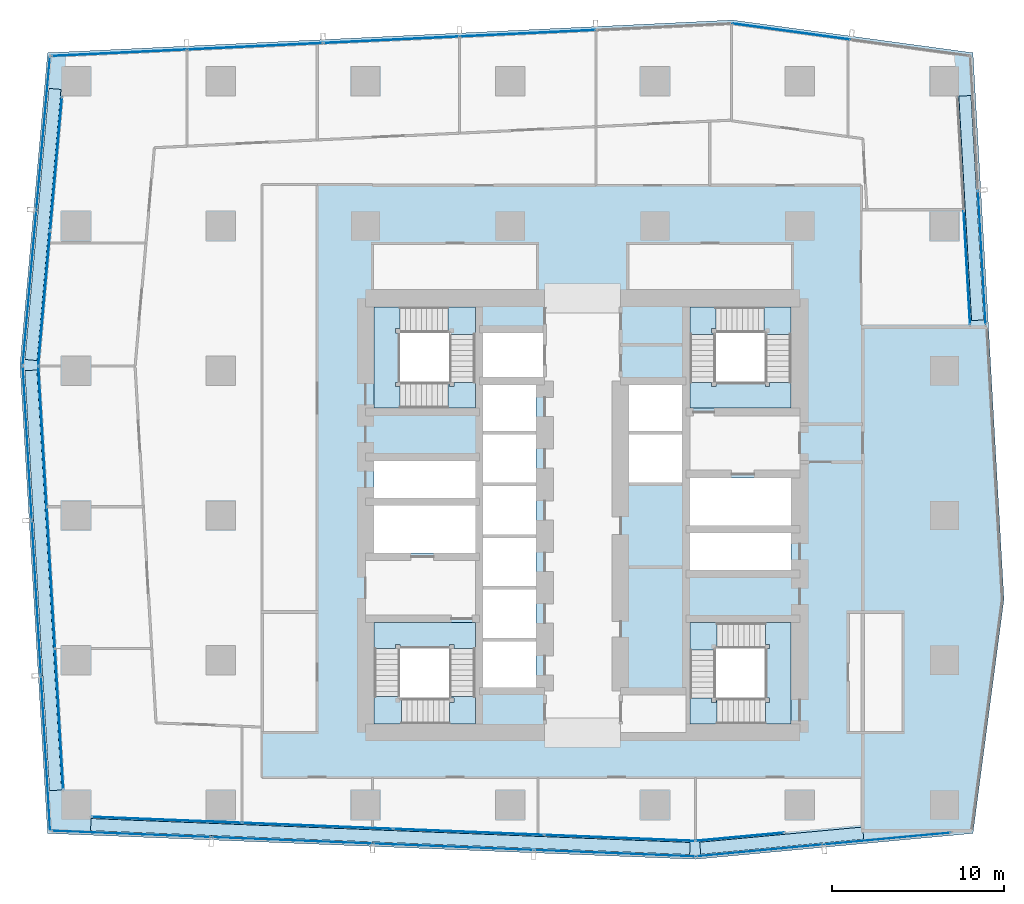
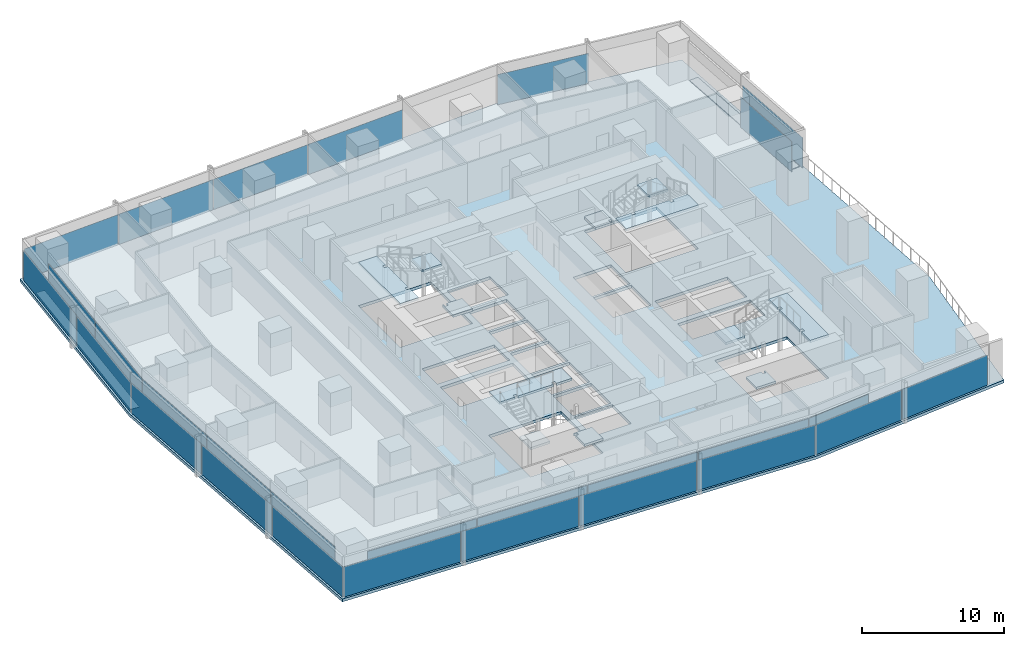
# One storey, part 23 of 34: 33 plates, 13 slabs, 16 elements without a shape of their own.
"""IFC4 building model written with IfcOpenShell, lengths in metres."""

from ifc_helpers import new_model, si_unit, direction, frame, origin, origin_2d, place, context, subcontext, project, spatial, polyline, rectangle, outline, extrude, material, layer, layer_set, type_object, element, aggregate, save


model = new_model("IFC4")

# Units and contexts
model_context = context("Model", 3, precision=1e-05, world=origin(), true_north=direction((0.0, 1.0)))
body_context = subcontext(model_context, "Body", "Model", "MODEL_VIEW")
ifc_project = project(units=[si_unit("LENGTHUNIT", "METRE"), si_unit("AREAUNIT", "SQUARE_METRE"), si_unit("VOLUMEUNIT", "CUBIC_METRE"), si_unit("PLANEANGLEUNIT", "RADIAN"), si_unit("MASSUNIT", "GRAM", prefix="KILO")], contexts=[model_context])

# Site, building, storey
site_placement = place(None, origin())
site = spatial("IfcSite", under=ifc_project, at=site_placement, CompositionType="ELEMENT")
building_placement = place(site_placement, origin())
building = spatial("IfcBuilding", under=site, at=building_placement, Name="Rekha Terrace Tower", CompositionType="ELEMENT")
storey_placement = place(building_placement, frame((0.0, 0.0, 176.449951171875)))
storey = spatial("IfcBuildingStorey", under=building, at=storey_placement, Name="L44", CompositionType="ELEMENT", Elevation=176.449951171875)

# Curtain wall, plates
ifc_material_1 = material(Name="Aluminium framing", Category="aluminium")
curtain_wall_type_1 = type_object("IfcCurtainWallType", Name="CW1 double skin inner glazing", PredefinedType="USERDEFINED", material=ifc_material_1)
curtain_wall_1_placement = place(storey_placement, origin())
curtain_wall_1 = element("IfcCurtainWall", 1, at=curtain_wall_1_placement, inside=storey, type_object=curtain_wall_type_1, Name="CW1 double skin inner glazing", ObjectType="DOUBLE SKIN INNER GLAZING", PredefinedType="USERDEFINED")
ifc_material_2 = material(Name="Double-glazed low-e unit 32", Category="glass")
ifc_layer_1 = layer(ifc_material_2, 0.031982421875)
ifc_layer_set_1 = layer_set([ifc_layer_1], Name="Double-glazed low-e unit 32")
plate_type_1 = type_object("IfcPlateType", Name="CW1 jumbo vision panel, double-glazed low-e unit 32", PredefinedType="CURTAIN_PANEL", material=ifc_layer_set_1)
plate_1_placement = place(storey_placement, frame((13.669677734375, 15.934814453125, 0.0), z_axis=(0.0, 0.0, 1.0), x_axis=(0.999204775799, -0.039872497044, 0.0)))
plate_1 = element("IfcPlate", 2, at=plate_1_placement, type_object=plate_type_1, Name="CW1 panel 1.1", PredefinedType="CURTAIN_PANEL", context=body_context, shape_type="SweptSolid", body=[
    extrude(rectangle(XDim=8.6689453125, YDim=0.031982421875, at=origin_2d()), origin(), (0.0, 0.0, 1.0), 2.60009765625),
])
plate_2_placement = place(storey_placement, frame((22.4130859375, 15.5859375, 0.0), z_axis=(0.0, 0.0, 1.0), x_axis=(0.999204775799, -0.039872497044, 0.0)))
plate_2 = element("IfcPlate", 3, at=plate_2_placement, type_object=plate_type_1, Name="CW1 panel 2.1", PredefinedType="CURTAIN_PANEL", context=body_context, shape_type="SweptSolid", body=[
    extrude(rectangle(XDim=8.701416015625, YDim=0.031982421875, at=origin_2d()), origin(), (0.0, 0.0, 1.0), 2.60009765625),
])
plate_3_placement = place(storey_placement, frame((31.172607421875, 15.236328125, 0.0), z_axis=(0.0, 0.0, 1.0), x_axis=(0.999204775799, -0.039872497044, 0.0)))
plate_3 = element("IfcPlate", 4, at=plate_3_placement, type_object=plate_type_1, Name="CW1 panel 3.1", PredefinedType="CURTAIN_PANEL", context=body_context, shape_type="SweptSolid", body=[
    extrude(rectangle(XDim=8.701416015625, YDim=0.031982421875, at=origin_2d()), origin(), (0.0, 0.0, 1.0), 2.60009765625),
])
plate_4_placement = place(storey_placement, frame((39.9482421875, 14.885986328125, 0.0), z_axis=(0.0, 0.0, 1.0), x_axis=(0.999204775799, -0.039872497044, 0.0)))
plate_4 = element("IfcPlate", 5, at=plate_4_placement, type_object=plate_type_1, Name="CW1 panel 4.1", PredefinedType="CURTAIN_PANEL", context=body_context, shape_type="SweptSolid", body=[
    extrude(rectangle(XDim=8.73388671875, YDim=0.031982421875, at=origin_2d()), origin(), (0.0, 0.0, 1.0), 2.60009765625),
])
aggregate(curtain_wall_1, [plate_1, plate_2, plate_3, plate_4])

# Curtain wall, plate
curtain_wall_2_placement = place(storey_placement, origin())
curtain_wall_2 = element("IfcCurtainWall", 6, at=curtain_wall_2_placement, inside=storey, type_object=curtain_wall_type_1, Name="CW1 double skin inner glazing", ObjectType="DOUBLE SKIN INNER GLAZING", PredefinedType="USERDEFINED")
plate_5_placement = place(storey_placement, frame((46.91650390625, 14.95458984375, 0.0), z_axis=(0.0, 0.0, 1.0), x_axis=(0.995693258737, 0.092708869616, 0.0)))
plate_5 = element("IfcPlate", 7, at=plate_5_placement, type_object=plate_type_1, Name="CW1 panel 1.1", PredefinedType="CURTAIN_PANEL", context=body_context, shape_type="SweptSolid", body=[
    extrude(rectangle(XDim=5.101806640625, YDim=0.031982421875, at=origin_2d()), origin(), (0.0, 0.0, 1.0), 2.60009765625),
])
aggregate(curtain_wall_2, [plate_5])

curtain_wall_3_placement = place(storey_placement, origin())
curtain_wall_3 = element("IfcCurtainWall", 8, at=curtain_wall_3_placement, inside=storey, type_object=curtain_wall_type_1, Name="CW1 double skin inner glazing", ObjectType="DOUBLE SKIN INNER GLAZING", PredefinedType="USERDEFINED")
plate_6_placement = place(storey_placement, frame((60.096923828125, 47.968505859375, 0.0), z_axis=(0.0, 0.0, 1.0), x_axis=(-0.056673194877, 0.998392782918, 0.0)))
plate_6 = element("IfcPlate", 9, at=plate_6_placement, type_object=plate_type_1, Name="CW1 panel 1.1", PredefinedType="CURTAIN_PANEL", context=body_context, shape_type="SweptSolid", body=[
    extrude(rectangle(XDim=6.5615234375, YDim=0.031982421875, at=origin_2d()), origin(), (0.0, 0.0, 1.0), 2.60009765625),
])
aggregate(curtain_wall_3, [plate_6])

# Curtain wall, plates
curtain_wall_4_placement = place(storey_placement, origin())
curtain_wall_4 = element("IfcCurtainWall", 10, at=curtain_wall_4_placement, inside=storey, type_object=curtain_wall_type_1, Name="CW1 double skin inner glazing", ObjectType="DOUBLE SKIN INNER GLAZING", PredefinedType="USERDEFINED")
plate_7_placement = place(storey_placement, frame((7.2451171875, 54.007080078125, 0.0), z_axis=(0.0, 0.0, 1.0), x_axis=(-0.087957985488, -0.996124185425, 0.0)))
plate_7 = element("IfcPlate", 11, at=plate_7_placement, type_object=plate_type_1, Name="CW1 panel 1.1", PredefinedType="CURTAIN_PANEL", context=body_context, shape_type="SweptSolid", body=[
    extrude(rectangle(XDim=7.73876953125, YDim=0.031982421875, at=origin_2d()), origin(), (0.0, 0.0, 1.0), 2.60009765625),
])
plate_8_placement = place(storey_placement, frame((6.555908203125, 46.201171875, 0.0), z_axis=(0.0, 0.0, 1.0), x_axis=(-0.087957985488, -0.996124185425, 0.0)))
plate_8 = element("IfcPlate", 12, at=plate_8_placement, type_object=plate_type_1, Name="CW1 panel 2.1", PredefinedType="CURTAIN_PANEL", context=body_context, shape_type="SweptSolid", body=[
    extrude(rectangle(XDim=7.8037109375, YDim=0.031982421875, at=origin_2d()), origin(), (0.0, 0.0, 1.0), 2.60009765625),
])
aggregate(curtain_wall_4, [plate_7, plate_8])

curtain_wall_5_placement = place(storey_placement, origin())
curtain_wall_5 = element("IfcCurtainWall", 13, at=curtain_wall_5_placement, inside=storey, type_object=curtain_wall_type_1, Name="CW1 double skin inner glazing", ObjectType="DOUBLE SKIN INNER GLAZING", PredefinedType="USERDEFINED")
plate_9_placement = place(storey_placement, frame((6.455322265625, 38.191650390625, 0.0), z_axis=(0.0, 0.0, 1.0), x_axis=(0.058765082551, -0.998271839267, 0.0)))
plate_9 = element("IfcPlate", 14, at=plate_9_placement, type_object=plate_type_1, Name="CW1 panel 1.1", PredefinedType="CURTAIN_PANEL", context=body_context, shape_type="SweptSolid", body=[
    extrude(rectangle(XDim=8.129638671875, YDim=0.031982421875, at=origin_2d()), origin(), (0.0, 0.0, 1.0), 2.60009765625),
])
plate_10_placement = place(storey_placement, frame((6.93798828125, 29.9951171875, 0.0), z_axis=(0.0, 0.0, 1.0), x_axis=(0.058765082551, -0.998271839267, 0.0)))
plate_10 = element("IfcPlate", 15, at=plate_10_placement, type_object=plate_type_1, Name="CW1 panel 2.1", PredefinedType="CURTAIN_PANEL", context=body_context, shape_type="SweptSolid", body=[
    extrude(rectangle(XDim=8.162109375, YDim=0.031982421875, at=origin_2d()), origin(), (0.0, 0.0, 1.0), 2.60009765625),
])
plate_11_placement = place(storey_placement, frame((7.42041015625, 21.79833984375, 0.0), z_axis=(0.0, 0.0, 1.0), x_axis=(0.058765082551, -0.998271839267, 0.0)))
plate_11 = element("IfcPlate", 16, at=plate_11_placement, type_object=plate_type_1, Name="CW1 panel 3.1", PredefinedType="CURTAIN_PANEL", context=body_context, shape_type="SweptSolid", body=[
    extrude(rectangle(XDim=8.129638671875, YDim=0.031982421875, at=origin_2d()), origin(), (0.0, 0.0, 1.0), 2.60009765625),
])
aggregate(curtain_wall_5, [plate_9, plate_10, plate_11])

curtain_wall_type_2 = type_object("IfcCurtainWallType", Name="CW2 double skin outer glazing", PredefinedType="USERDEFINED", material=ifc_material_1)
curtain_wall_6_placement = place(storey_placement, origin())
curtain_wall_6 = element("IfcCurtainWall", 17, at=curtain_wall_6_placement, inside=storey, type_object=curtain_wall_type_2, Name="CW2 double skin outer glazing", ObjectType="DOUBLE SKIN OUTER GLAZING", PredefinedType="USERDEFINED")
ifc_material_3 = material(Name="Toughened single glazing 12", Category="glass")
ifc_layer_2 = layer(ifc_material_3, 0.011962890625)
ifc_layer_set_2 = layer_set([ifc_layer_2], Name="Toughened single glazing 12")
plate_type_2 = type_object("IfcPlateType", Name="CW2 jumbo vision panel, toughened single glazing 12", PredefinedType="CURTAIN_PANEL", material=ifc_layer_set_2)
plate_12_placement = place(storey_placement, frame((11.6005859375, 15.116455078125, 0.0), z_axis=(0.0, 0.0, 1.0), x_axis=(0.999204775799, -0.039872497044, 0.0)))
plate_12 = element("IfcPlate", 18, at=plate_12_placement, type_object=plate_type_2, Name="CW2 panel 1.1", PredefinedType="CURTAIN_PANEL", context=body_context, shape_type="SweptSolid", body=[
    extrude(rectangle(XDim=9.24609375, YDim=0.011962890625, at=origin_2d()), origin(), (0.0, 0.0, 1.0), 2.60009765625),
])
plate_13_placement = place(storey_placement, frame((20.939208984375, 14.743896484375, 0.0), z_axis=(0.0, 0.0, 1.0), x_axis=(0.999204775799, -0.039872497044, 0.0)))
plate_13 = element("IfcPlate", 19, at=plate_13_placement, type_object=plate_type_2, Name="CW2 panel 2.1", PredefinedType="CURTAIN_PANEL", context=body_context, shape_type="SweptSolid", body=[
    extrude(rectangle(XDim=9.2861328125, YDim=0.011962890625, at=origin_2d()), origin(), (0.0, 0.0, 1.0), 2.60009765625),
])
plate_14_placement = place(storey_placement, frame((30.2978515625, 14.370361328125, 0.0), z_axis=(0.0, 0.0, 1.0), x_axis=(0.999204775799, -0.039872497044, 0.0)))
plate_14 = element("IfcPlate", 20, at=plate_14_placement, type_object=plate_type_2, Name="CW2 panel 3.1", PredefinedType="CURTAIN_PANEL", context=body_context, shape_type="SweptSolid", body=[
    extrude(rectangle(XDim=9.2861328125, YDim=0.011962890625, at=origin_2d()), origin(), (0.0, 0.0, 1.0), 2.60009765625),
])
plate_15_placement = place(storey_placement, frame((39.676513671875, 13.996337890625, 0.0), z_axis=(0.0, 0.0, 1.0), x_axis=(0.999204775799, -0.039872497044, 0.0)))
plate_15 = element("IfcPlate", 21, at=plate_15_placement, type_object=plate_type_2, Name="CW2 panel 4.1", PredefinedType="CURTAIN_PANEL", context=body_context, shape_type="SweptSolid", body=[
    extrude(rectangle(XDim=9.326171875, YDim=0.011962890625, at=origin_2d()), origin(), (0.0, 0.0, 1.0), 2.60009765625),
])
aggregate(curtain_wall_6, [plate_12, plate_13, plate_14, plate_15])

curtain_wall_7_placement = place(storey_placement, origin())
curtain_wall_7 = element("IfcCurtainWall", 22, at=curtain_wall_7_placement, inside=storey, type_object=curtain_wall_type_2, Name="CW2 double skin outer glazing", ObjectType="DOUBLE SKIN OUTER GLAZING", PredefinedType="USERDEFINED")
plate_16_placement = place(storey_placement, frame((48.078857421875, 14.158935546875, 0.0), z_axis=(0.0, 0.0, 1.0), x_axis=(0.995693258747, 0.092708869512, 0.0)))
plate_16 = element("IfcPlate", 23, at=plate_16_placement, type_object=plate_type_2, Name="CW2 panel 1.1", PredefinedType="CURTAIN_PANEL", context=body_context, shape_type="SweptSolid", body=[
    extrude(rectangle(XDim=7.35888671875, YDim=0.011962890625, at=origin_2d()), origin(), (0.0, 0.0, 1.0), 2.60009765625),
])
plate_17_placement = place(storey_placement, frame((55.48583984375, 14.848388671875, 0.0), z_axis=(0.0, 0.0, 1.0), x_axis=(0.995693258747, 0.092708869512, 0.0)))
plate_17 = element("IfcPlate", 24, at=plate_17_placement, type_object=plate_type_2, Name="CW2 panel 2.1", PredefinedType="CURTAIN_PANEL", context=body_context, shape_type="SweptSolid", body=[
    extrude(rectangle(XDim=7.35888671875, YDim=0.011962890625, at=origin_2d()), origin(), (0.0, 0.0, 1.0), 2.60009765625),
])
aggregate(curtain_wall_7, [plate_16, plate_17])

# Curtain wall, plate
curtain_wall_8_placement = place(storey_placement, origin())
curtain_wall_8 = element("IfcCurtainWall", 25, at=curtain_wall_8_placement, inside=storey, type_object=curtain_wall_type_2, Name="CW2 double skin outer glazing", ObjectType="DOUBLE SKIN OUTER GLAZING", PredefinedType="USERDEFINED")
plate_18_placement = place(storey_placement, frame((60.964111328125, 48.568359375, 0.0), z_axis=(0.0, 0.0, 1.0), x_axis=(-0.05667319486, 0.998392782919, 0.0)))
plate_18 = element("IfcPlate", 26, at=plate_18_placement, type_object=plate_type_2, Name="CW2 panel 1.1", PredefinedType="CURTAIN_PANEL", context=body_context, shape_type="SweptSolid", body=[
    extrude(rectangle(XDim=7.733154296875, YDim=0.011962890625, at=origin_2d()), origin(), (0.0, 0.0, 1.0), 2.60009765625),
])
aggregate(curtain_wall_8, [plate_18])

# Curtain wall, plates
curtain_wall_9_placement = place(storey_placement, origin())
curtain_wall_9 = element("IfcCurtainWall", 27, at=curtain_wall_9_placement, inside=storey, type_object=curtain_wall_type_2, Name="CW2 double skin outer glazing", ObjectType="DOUBLE SKIN OUTER GLAZING", PredefinedType="USERDEFINED")
plate_19_placement = place(storey_placement, frame((6.498779296875, 55.78466796875, 0.0), z_axis=(0.0, 0.0, 1.0), x_axis=(-0.087957985453, -0.996124185428, 0.0)))
plate_19 = element("IfcPlate", 28, at=plate_19_placement, type_object=plate_type_2, Name="CW2 panel 1.1", PredefinedType="CURTAIN_PANEL", context=body_context, shape_type="SweptSolid", body=[
    extrude(rectangle(XDim=8.899658203125, YDim=0.011962890625, at=origin_2d()), origin(), (0.0, 0.0, 1.0), 2.60009765625),
])
plate_20_placement = place(storey_placement, frame((5.705322265625, 46.800048828125, 0.0), z_axis=(0.0, 0.0, 1.0), x_axis=(-0.087957985453, -0.996124185428, 0.0)))
plate_20 = element("IfcPlate", 29, at=plate_20_placement, type_object=plate_type_2, Name="CW2 panel 2.1", PredefinedType="CURTAIN_PANEL", context=body_context, shape_type="SweptSolid", body=[
    extrude(rectangle(XDim=8.9794921875, YDim=0.011962890625, at=origin_2d()), origin(), (0.0, 0.0, 1.0), 2.60009765625),
])
aggregate(curtain_wall_9, [plate_19, plate_20])

curtain_wall_10_placement = place(storey_placement, origin())
curtain_wall_10 = element("IfcCurtainWall", 30, at=curtain_wall_10_placement, inside=storey, type_object=curtain_wall_type_2, Name="CW2 double skin outer glazing", ObjectType="DOUBLE SKIN OUTER GLAZING", PredefinedType="USERDEFINED")
plate_21_placement = place(storey_placement, frame((5.57666015625, 37.8037109375, 0.0), z_axis=(0.0, 0.0, 1.0), x_axis=(0.058765082499, -0.99827183927, 0.0)))
plate_21 = element("IfcPlate", 31, at=plate_21_placement, type_object=plate_type_2, Name="CW2 panel 1.1", PredefinedType="CURTAIN_PANEL", context=body_context, shape_type="SweptSolid", body=[
    extrude(rectangle(XDim=8.903564453125, YDim=0.011962890625, at=origin_2d()), origin(), (0.0, 0.0, 1.0), 2.60009765625),
])
plate_22_placement = place(storey_placement, frame((6.105712890625, 28.81591796875, 0.0), z_axis=(0.0, 0.0, 1.0), x_axis=(0.058765082499, -0.99827183927, 0.0)))
plate_22 = element("IfcPlate", 32, at=plate_22_placement, type_object=plate_type_2, Name="CW2 panel 2.1", PredefinedType="CURTAIN_PANEL", context=body_context, shape_type="SweptSolid", body=[
    extrude(rectangle(XDim=8.943359375, YDim=0.011962890625, at=origin_2d()), origin(), (0.0, 0.0, 1.0), 2.60009765625),
])
plate_23_placement = place(storey_placement, frame((6.63720703125, 19.7880859375, 0.0), z_axis=(0.0, 0.0, 1.0), x_axis=(0.058765082499, -0.99827183927, 0.0)))
plate_23 = element("IfcPlate", 33, at=plate_23_placement, type_object=plate_type_2, Name="CW2 panel 3.1", PredefinedType="CURTAIN_PANEL", context=body_context, shape_type="SweptSolid", body=[
    extrude(rectangle(XDim=8.9833984375, YDim=0.011962890625, at=origin_2d()), origin(), (0.0, 0.0, 1.0), 2.60009765625),
])
aggregate(curtain_wall_10, [plate_21, plate_22, plate_23])

# Curtain wall, plate
curtain_wall_type_3 = type_object("IfcCurtainWallType", Name="CW3 north unitised glazing", PredefinedType="USERDEFINED", material=ifc_material_1)
curtain_wall_11_placement = place(storey_placement, origin())
curtain_wall_11 = element("IfcCurtainWall", 34, at=curtain_wall_11_placement, inside=storey, type_object=curtain_wall_type_3, Name="CW3 unitised curtain wall", ObjectType="UNITISED CURTAIN WALL", PredefinedType="USERDEFINED")
ifc_material_4 = material(Name="Double-glazed unit 28", Category="glass")
ifc_layer_3 = layer(ifc_material_4, 0.028076171875)
ifc_layer_set_3 = layer_set([ifc_layer_3], Name="Double-glazed unit 28")
plate_type_3 = type_object("IfcPlateType", Name="CW3 jumbo vision panel, double-glazed unit 28", PredefinedType="CURTAIN_PANEL", material=ifc_layer_set_3)
plate_24_placement = place(storey_placement, frame((49.906982421875, 61.682861328125, 0.0), z_axis=(0.0, 0.0, 1.0), x_axis=(-0.990867270504, 0.134840840416, 0.0)))
plate_24 = element("IfcPlate", 35, at=plate_24_placement, type_object=plate_type_3, Name="CW3 panel 2.1", PredefinedType="CURTAIN_PANEL", context=body_context, shape_type="SweptSolid", body=[
    extrude(rectangle(XDim=6.918701171875, YDim=0.028076171875, at=origin_2d()), origin(), (0.0, 0.0, 1.0), 2.60009765625),
])
aggregate(curtain_wall_11, [plate_24])

# Curtain wall, plates
curtain_wall_12_placement = place(storey_placement, origin())
curtain_wall_12 = element("IfcCurtainWall", 36, at=curtain_wall_12_placement, inside=storey, type_object=curtain_wall_type_3, Name="CW3 unitised curtain wall", ObjectType="UNITISED CURTAIN WALL", PredefinedType="USERDEFINED")
plate_25_placement = place(storey_placement, frame((34.61572265625, 61.58203125, 0.0), z_axis=(0.0, 0.0, 1.0), x_axis=(-0.998858906204, -0.047758616983, 0.0)))
plate_25 = element("IfcPlate", 37, at=plate_25_placement, type_object=plate_type_3, Name="CW3 panel 2.1", PredefinedType="CURTAIN_PANEL", context=body_context, shape_type="SweptSolid", body=[
    extrude(rectangle(XDim=7.84814453125, YDim=0.028076171875, at=origin_2d()), origin(), (0.0, 0.0, 1.0), 2.60009765625),
])
plate_26_placement = place(storey_placement, frame((26.70654296875, 61.203857421875, 0.0), z_axis=(0.0, 0.0, 1.0), x_axis=(-0.998858906204, -0.047758616983, 0.0)))
plate_26 = element("IfcPlate", 38, at=plate_26_placement, type_object=plate_type_3, Name="CW3 panel 3.1", PredefinedType="CURTAIN_PANEL", context=body_context, shape_type="SweptSolid", body=[
    extrude(rectangle(XDim=7.84814453125, YDim=0.028076171875, at=origin_2d()), origin(), (0.0, 0.0, 1.0), 2.60009765625),
])
plate_27_placement = place(storey_placement, frame((18.79736328125, 60.82568359375, 0.0), z_axis=(0.0, 0.0, 1.0), x_axis=(-0.998858906204, -0.047758616983, 0.0)))
plate_27 = element("IfcPlate", 39, at=plate_27_placement, type_object=plate_type_3, Name="CW3 panel 4.1", PredefinedType="CURTAIN_PANEL", context=body_context, shape_type="SweptSolid", body=[
    extrude(rectangle(XDim=7.84814453125, YDim=0.028076171875, at=origin_2d()), origin(), (0.0, 0.0, 1.0), 2.60009765625),
])
plate_28_placement = place(storey_placement, frame((10.906005859375, 60.448486328125, 0.0), z_axis=(0.0, 0.0, 1.0), x_axis=(-0.998858906204, -0.047758616983, 0.0)))
plate_28 = element("IfcPlate", 40, at=plate_28_placement, type_object=plate_type_3, Name="CW3 panel 5.1", PredefinedType="CURTAIN_PANEL", context=body_context, shape_type="SweptSolid", body=[
    extrude(rectangle(XDim=7.81298828125, YDim=0.028076171875, at=origin_2d()), origin(), (0.0, 0.0, 1.0), 2.60009765625),
])
aggregate(curtain_wall_12, [plate_25, plate_26, plate_27, plate_28])

# Plates
ifc_material_5 = material(Name="Galvanised steel open grating", Category="steel")
ifc_layer_4 = layer(ifc_material_5, 0.050048828125)
ifc_layer_set_4 = layer_set([ifc_layer_4], Name="Galvanised steel open grating")
plate_type_4 = type_object("IfcPlateType", Name="GT1 cavity walkway grating 50", PredefinedType="USERDEFINED", material=ifc_layer_set_4)
plate_29_placement = place(storey_placement, frame((26.641357421875, 14.966796875, 0.0), z_axis=(0.0, 0.0, 1.0), x_axis=(0.999204775799, -0.039872497044, 0.0)))
element("IfcPlate", 41, at=plate_29_placement, inside=storey, type_object=plate_type_4, Name="Cavity walkway grating", ObjectType="CAVITY WALKWAY GRATING", PredefinedType="USERDEFINED", context=body_context, shape_type="SweptSolid", body=[
    extrude(rectangle(XDim=34.793212890625, YDim=0.705078125, at=origin_2d()), origin(), (0.0, 0.0, 1.0), 0.050048828125),
])
plate_30_placement = place(storey_placement, frame((49.349365234375, 14.72900390625, 0.0), z_axis=(0.0, 0.0, 1.0), x_axis=(0.995693258745, 0.092708869529, 0.0)))
element("IfcPlate", 42, at=plate_30_placement, inside=storey, type_object=plate_type_4, Name="Cavity walkway grating", ObjectType="CAVITY WALKWAY GRATING", PredefinedType="USERDEFINED", context=body_context, shape_type="SweptSolid", body=[
    extrude(rectangle(XDim=9.49462890625, YDim=0.705078125, at=origin_2d()), origin(), (0.0, 0.0, 1.0), 0.050048828125),
])
plate_31_placement = place(storey_placement, frame((60.3505859375, 51.438232421875, 0.0), z_axis=(0.0, 0.0, 1.0), x_axis=(-0.05667319486, 0.998392782919, 0.0)))
element("IfcPlate", 43, at=plate_31_placement, inside=storey, type_object=plate_type_4, Name="Cavity walkway grating", ObjectType="CAVITY WALKWAY GRATING", PredefinedType="USERDEFINED", context=body_context, shape_type="SweptSolid", body=[
    extrude(rectangle(XDim=13.042236328125, YDim=0.705078125, at=origin_2d()), origin(), (0.0, 0.0, 1.0), 0.050048828125),
])
plate_32_placement = place(storey_placement, frame((6.482666015625, 50.486328125, 0.0), z_axis=(0.0, 0.0, 1.0), x_axis=(-0.087957985471, -0.996124185427, 0.0)))
element("IfcPlate", 44, at=plate_32_placement, inside=storey, type_object=plate_type_4, Name="Cavity walkway grating", ObjectType="CAVITY WALKWAY GRATING", PredefinedType="USERDEFINED", context=body_context, shape_type="SweptSolid", body=[
    extrude(rectangle(XDim=15.7939453125, YDim=0.705078125, at=origin_2d()), origin(), (0.0, 0.0, 1.0), 0.050048828125),
])
plate_33_placement = place(storey_placement, frame((6.49658203125, 29.8359375, 0.0), z_axis=(0.0, 0.0, 1.0), x_axis=(0.058765082516, -0.998271839269, 0.0)))
element("IfcPlate", 45, at=plate_33_placement, inside=storey, type_object=plate_type_4, Name="Cavity walkway grating", ObjectType="CAVITY WALKWAY GRATING", PredefinedType="USERDEFINED", context=body_context, shape_type="SweptSolid", body=[
    extrude(rectangle(XDim=24.41357421875, YDim=0.705078125, at=origin_2d()), origin(), (0.0, 0.0, 1.0), 0.050048828125),
])

# Stair, slabs
ifc_material_6 = material(Name="Concrete M40", Category="concrete")
stair_type = type_object("IfcStairType", Name="ST30 stair, 30 risers of 125, going 310, 1500 wide flights, 3 flights", PredefinedType="HALF_TURN_STAIR", material=ifc_material_6)
stair_1_placement = place(storey_placement, origin())
stair_1 = element("IfcStair", 46, at=stair_1_placement, inside=storey, type_object=stair_type, Name="Stair ST1 L44 to L45", PredefinedType="HALF_TURN_STAIR")
ifc_layer_5 = layer(ifc_material_6, 0.199951171875)
ifc_layer_set_5 = layer_set([ifc_layer_5], Name="Concrete M40")
slab_type_1 = type_object("IfcSlabType", Name="LD1 200 concrete stair landing", PredefinedType="LANDING", material=ifc_layer_set_5)
slab_1_placement = place(storey_placement, frame((0.0, 0.0, 1.050048828125)))
slab_1 = element("IfcSlab", 47, at=slab_1_placement, type_object=slab_type_1, Name="ST1 landing 1", PredefinedType="LANDING", context=body_context, shape_type="SweptSolid", body=[
    extrude(outline(polyline([(30.074951171875, 21.5), (31.574951171875, 21.5), (31.574951171875, 23.0849609375), (30.074951171875, 23.0849609375), (30.074951171875, 23.0), (30.324951171875, 23.0), (30.324951171875, 22.75), (30.074951171875, 22.75), (30.074951171875, 21.5)])), origin(), (0.0, 0.0, 1.0), 0.199951171875),
])
slab_2_placement = place(storey_placement, frame((0.0, 0.0, 2.300048828125)))
slab_2 = element("IfcSlab", 48, at=slab_2_placement, type_object=slab_type_1, Name="ST1 landing 2", PredefinedType="LANDING", context=body_context, shape_type="SweptSolid", body=[
    extrude(outline(polyline([(27.199951171875, 23.0849609375), (25.699951171875, 23.0849609375), (25.699951171875, 21.5), (27.284912109375, 21.5), (27.284912109375, 23.0), (27.199951171875, 23.0), (27.199951171875, 23.0849609375)])), origin(), (0.0, 0.0, 1.0), 0.199951171875),
])
slab_3_placement = place(storey_placement, frame((0.0, 0.0, 3.550048828125)))
slab_3 = element("IfcSlab", 49, at=slab_3_placement, type_object=slab_type_1, Name="ST1 landing 3", PredefinedType="LANDING", context=body_context, shape_type="SweptSolid", body=[
    extrude(outline(polyline([(31.574951171875, 25.875), (31.574951171875, 27.375), (25.699951171875, 27.375), (25.699951171875, 25.875), (26.949951171875, 25.875), (26.949951171875, 26.125), (27.199951171875, 26.125), (27.199951171875, 25.875), (30.074951171875, 25.875), (30.074951171875, 26.125), (30.324951171875, 26.125), (30.324951171875, 25.875), (31.574951171875, 25.875)])), origin(), (0.0, 0.0, 1.0), 0.199951171875),
])
aggregate(stair_1, [slab_1, slab_2, slab_3])

stair_2_placement = place(storey_placement, origin())
stair_2 = element("IfcStair", 50, at=stair_2_placement, inside=storey, type_object=stair_type, Name="Stair ST2 L44 to L45", PredefinedType="HALF_TURN_STAIR")
slab_4_placement = place(storey_placement, frame((0.0, 0.0, 1.050048828125)))
slab_4 = element("IfcSlab", 51, at=slab_4_placement, type_object=slab_type_1, Name="ST2 landing 1", PredefinedType="LANDING", context=body_context, shape_type="SweptSolid", body=[
    extrude(outline(polyline([(45.52490234375, 45.699951171875), (44.02490234375, 45.699951171875), (44.02490234375, 44.114990234375), (45.52490234375, 44.114990234375), (45.52490234375, 44.199951171875), (45.27490234375, 44.199951171875), (45.27490234375, 44.449951171875), (45.52490234375, 44.449951171875), (45.52490234375, 45.699951171875)])), origin(), (0.0, 0.0, 1.0), 0.199951171875),
])
slab_5_placement = place(storey_placement, frame((0.0, 0.0, 2.300048828125)))
slab_5 = element("IfcSlab", 52, at=slab_5_placement, type_object=slab_type_1, Name="ST2 landing 2", PredefinedType="LANDING", context=body_context, shape_type="SweptSolid", body=[
    extrude(outline(polyline([(48.39990234375, 44.114990234375), (49.89990234375, 44.114990234375), (49.89990234375, 45.699951171875), (48.31494140625, 45.699951171875), (48.31494140625, 44.199951171875), (48.39990234375, 44.199951171875), (48.39990234375, 44.114990234375)])), origin(), (0.0, 0.0, 1.0), 0.199951171875),
])
slab_6_placement = place(storey_placement, frame((0.0, 0.0, 3.550048828125)))
slab_6 = element("IfcSlab", 53, at=slab_6_placement, type_object=slab_type_1, Name="ST2 landing 3", PredefinedType="LANDING", context=body_context, shape_type="SweptSolid", body=[
    extrude(outline(polyline([(44.02490234375, 41.324951171875), (44.02490234375, 39.824951171875), (49.89990234375, 39.824951171875), (49.89990234375, 41.324951171875), (48.64990234375, 41.324951171875), (48.64990234375, 41.074951171875), (48.39990234375, 41.074951171875), (48.39990234375, 41.324951171875), (45.52490234375, 41.324951171875), (45.52490234375, 41.074951171875), (45.27490234375, 41.074951171875), (45.27490234375, 41.324951171875), (44.02490234375, 41.324951171875)])), origin(), (0.0, 0.0, 1.0), 0.199951171875),
])
aggregate(stair_2, [slab_4, slab_5, slab_6])

stair_3_placement = place(storey_placement, origin())
stair_3 = element("IfcStair", 54, at=stair_3_placement, inside=storey, type_object=stair_type, Name="Stair ST3 L44 to L45", PredefinedType="HALF_TURN_STAIR")
slab_7_placement = place(storey_placement, frame((0.0, 0.0, 1.050048828125)))
slab_7 = element("IfcSlab", 55, at=slab_7_placement, type_object=slab_type_1, Name="ST3 landing 1", PredefinedType="LANDING", context=body_context, shape_type="SweptSolid", body=[
    extrude(outline(polyline([(44.02490234375, 23.0), (44.02490234375, 21.5), (45.610107421875, 21.5), (45.610107421875, 23.0), (45.52490234375, 23.0), (45.52490234375, 22.75), (45.27490234375, 22.75), (45.27490234375, 23.0), (44.02490234375, 23.0)])), origin(), (0.0, 0.0, 1.0), 0.199951171875),
])
slab_8_placement = place(storey_placement, frame((0.0, 0.0, 2.300048828125)))
slab_8 = element("IfcSlab", 56, at=slab_8_placement, type_object=slab_type_1, Name="ST3 landing 2", PredefinedType="LANDING", context=body_context, shape_type="SweptSolid", body=[
    extrude(outline(polyline([(45.610107421875, 25.875), (45.610107421875, 27.375), (44.02490234375, 27.375), (44.02490234375, 25.7900390625), (45.52490234375, 25.7900390625), (45.52490234375, 25.875), (45.610107421875, 25.875)])), origin(), (0.0, 0.0, 1.0), 0.199951171875),
])
slab_9_placement = place(storey_placement, frame((0.0, 0.0, 3.550048828125)))
slab_9 = element("IfcSlab", 57, at=slab_9_placement, type_object=slab_type_1, Name="ST3 landing 3", PredefinedType="LANDING", context=body_context, shape_type="SweptSolid", body=[
    extrude(outline(polyline([(48.39990234375, 21.5), (49.89990234375, 21.5), (49.89990234375, 27.375), (48.39990234375, 27.375), (48.39990234375, 26.125), (48.64990234375, 26.125), (48.64990234375, 25.875), (48.39990234375, 25.875), (48.39990234375, 23.0), (48.64990234375, 23.0), (48.64990234375, 22.75), (48.39990234375, 22.75), (48.39990234375, 21.5)])), origin(), (0.0, 0.0, 1.0), 0.199951171875),
])
aggregate(stair_3, [slab_7, slab_8, slab_9])

stair_4_placement = place(storey_placement, origin())
stair_4 = element("IfcStair", 58, at=stair_4_placement, inside=storey, type_object=stair_type, Name="Stair ST4 L44 to L45", PredefinedType="HALF_TURN_STAIR")
slab_10_placement = place(storey_placement, frame((0.0, 0.0, 1.050048828125)))
slab_10 = element("IfcSlab", 59, at=slab_10_placement, type_object=slab_type_1, Name="ST4 landing 1", PredefinedType="LANDING", context=body_context, shape_type="SweptSolid", body=[
    extrude(outline(polyline([(31.574951171875, 41.324951171875), (31.574951171875, 39.824951171875), (29.989990234375, 39.824951171875), (29.989990234375, 41.324951171875), (30.074951171875, 41.324951171875), (30.074951171875, 41.074951171875), (30.324951171875, 41.074951171875), (30.324951171875, 41.324951171875), (31.574951171875, 41.324951171875)])), origin(), (0.0, 0.0, 1.0), 0.199951171875),
])
slab_11_placement = place(storey_placement, frame((0.0, 0.0, 2.300048828125)))
slab_11 = element("IfcSlab", 60, at=slab_11_placement, type_object=slab_type_1, Name="ST4 landing 2", PredefinedType="LANDING", context=body_context, shape_type="SweptSolid", body=[
    extrude(outline(polyline([(29.989990234375, 44.199951171875), (29.989990234375, 45.699951171875), (31.574951171875, 45.699951171875), (31.574951171875, 44.114990234375), (30.074951171875, 44.114990234375), (30.074951171875, 44.199951171875), (29.989990234375, 44.199951171875)])), origin(), (0.0, 0.0, 1.0), 0.199951171875),
])
slab_12_placement = place(storey_placement, frame((0.0, 0.0, 3.550048828125)))
slab_12 = element("IfcSlab", 61, at=slab_12_placement, type_object=slab_type_1, Name="ST4 landing 3", PredefinedType="LANDING", context=body_context, shape_type="SweptSolid", body=[
    extrude(outline(polyline([(27.199951171875, 39.824951171875), (25.699951171875, 39.824951171875), (25.699951171875, 45.699951171875), (27.199951171875, 45.699951171875), (27.199951171875, 44.449951171875), (26.949951171875, 44.449951171875), (26.949951171875, 44.199951171875), (27.199951171875, 44.199951171875), (27.199951171875, 41.324951171875), (26.949951171875, 41.324951171875), (26.949951171875, 41.074951171875), (27.199951171875, 41.074951171875), (27.199951171875, 39.824951171875)])), origin(), (0.0, 0.0, 1.0), 0.199951171875),
])
aggregate(stair_4, [slab_10, slab_11, slab_12])

# Slab
ifc_material_7 = material(Name="Concrete M50", Category="concrete")
ifc_layer_6 = layer(ifc_material_7, 0.25)
ifc_layer_set_6 = layer_set([ifc_layer_6], Name="Concrete M50")
slab_type_2 = type_object("IfcSlabType", Name="SL4 250 post-tensioned flat plate", PredefinedType="FLOOR", material=ifc_layer_set_6)
slab_13_placement = place(storey_placement, frame((0.0, 0.0, -0.25)))
element("IfcSlab", 62, at=slab_13_placement, inside=storey, type_object=slab_type_2, Name="Post-tensioned flat plate L44", PredefinedType="FLOOR", context=body_context, shape_type="SweptSolid", body=[
    extrude(outline(polyline([(5.14990234375, 42.330078125), (6.75, 15.14990234375), (44.340087890625, 13.64990234375), (60.449951171875, 15.14990234375), (62.25, 28.739990234375), (60.449951171875, 60.449951171875), (46.488037109375, 62.35009765625), (6.75, 60.449951171875), (5.14990234375, 42.330078125)]), holes=[polyline([(31.574951171875, 27.375), (31.574951171875, 21.5), (25.699951171875, 21.5), (25.699951171875, 27.375), (31.574951171875, 27.375)]), polyline([(35.10009765625, 26.300048828125), (35.10009765625, 23.625), (32.02490234375, 23.625), (32.02490234375, 26.300048828125), (35.10009765625, 26.300048828125)]), polyline([(35.10009765625, 29.300048828125), (35.10009765625, 26.5), (32.02490234375, 26.5), (32.02490234375, 29.300048828125), (35.10009765625, 29.300048828125)]), polyline([(35.10009765625, 32.300048828125), (35.10009765625, 29.5), (32.02490234375, 29.5), (32.02490234375, 32.300048828125), (35.10009765625, 32.300048828125)]), polyline([(31.574951171875, 34.175048828125), (31.574951171875, 31.425048828125), (25.699951171875, 31.425048828125), (25.699951171875, 34.175048828125), (31.574951171875, 34.175048828125)]), polyline([(35.10009765625, 35.300048828125), (35.10009765625, 32.5), (32.02490234375, 32.5), (32.02490234375, 35.300048828125), (35.10009765625, 35.300048828125)]), polyline([(31.574951171875, 36.77490234375), (31.574951171875, 34.625), (25.699951171875, 34.625), (25.699951171875, 36.77490234375), (31.574951171875, 36.77490234375)]), polyline([(35.10009765625, 38.300048828125), (35.10009765625, 35.5), (32.02490234375, 35.5), (32.02490234375, 38.300048828125), (35.10009765625, 38.300048828125)]), polyline([(31.574951171875, 45.699951171875), (31.574951171875, 39.824951171875), (25.699951171875, 39.824951171875), (25.699951171875, 45.699951171875), (31.574951171875, 45.699951171875)]), polyline([(49.89990234375, 27.375), (49.89990234375, 21.5), (44.02490234375, 21.5), (44.02490234375, 27.375), (49.89990234375, 27.375)]), polyline([(49.89990234375, 32.574951171875), (49.89990234375, 30.425048828125), (44.02490234375, 30.425048828125), (44.02490234375, 32.574951171875), (49.89990234375, 32.574951171875)]), polyline([(49.89990234375, 35.77490234375), (49.89990234375, 33.02490234375), (44.02490234375, 33.02490234375), (44.02490234375, 35.77490234375), (49.89990234375, 35.77490234375)]), polyline([(43.574951171875, 38.300048828125), (43.574951171875, 35.5), (40.5, 35.5), (40.5, 38.300048828125), (43.574951171875, 38.300048828125)]), polyline([(35.10009765625, 41.175048828125), (35.10009765625, 38.5), (32.02490234375, 38.5), (32.02490234375, 41.175048828125), (35.10009765625, 41.175048828125)]), polyline([(43.574951171875, 41.175048828125), (43.574951171875, 38.5), (40.5, 38.5), (40.5, 41.175048828125), (43.574951171875, 41.175048828125)]), polyline([(49.89990234375, 39.824951171875), (44.02490234375, 39.824951171875), (44.02490234375, 45.699951171875), (49.89990234375, 45.699951171875), (49.89990234375, 39.824951171875)]), polyline([(35.5, 41.625), (32.02490234375, 41.625), (32.02490234375, 44.175048828125), (35.5, 44.175048828125), (35.5, 41.625)])]), origin(), (0.0, 0.0, 1.0), 0.25),
])

save(model, "model.ifc")
